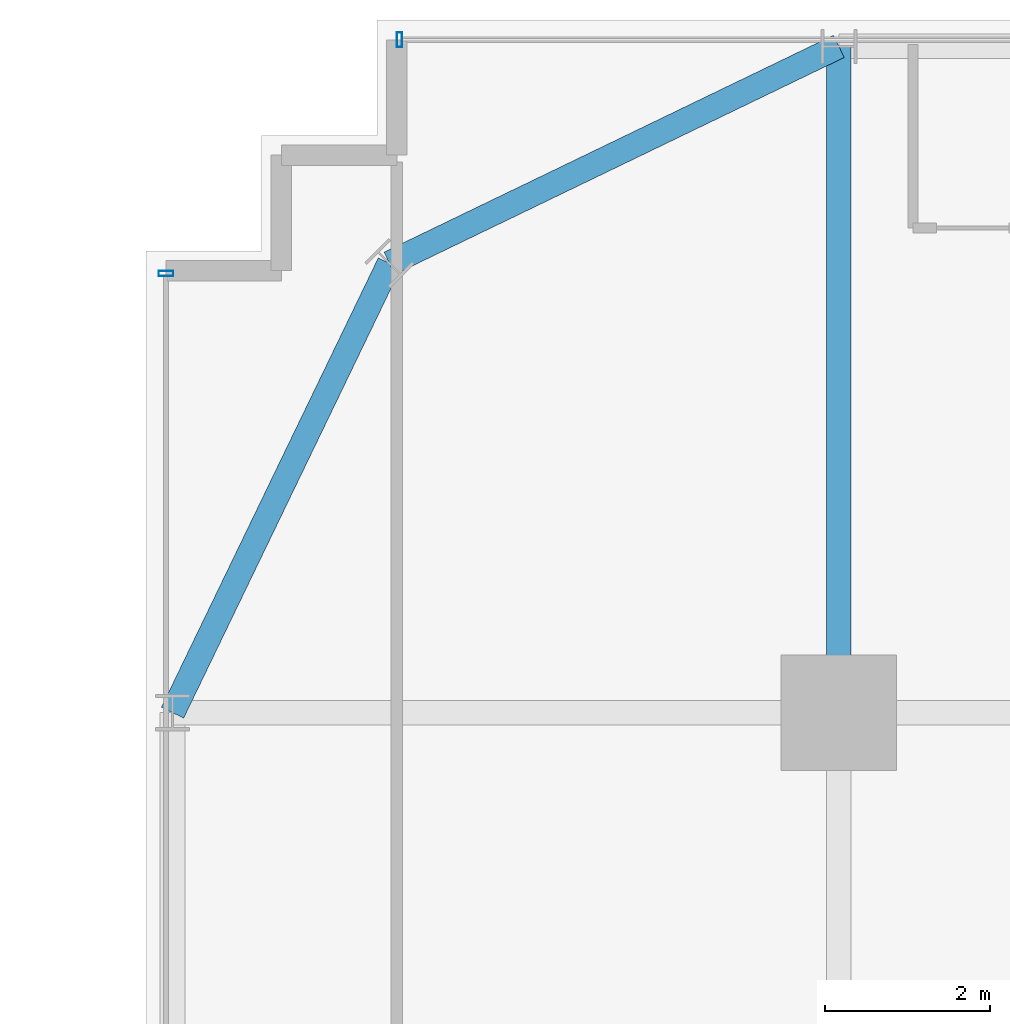
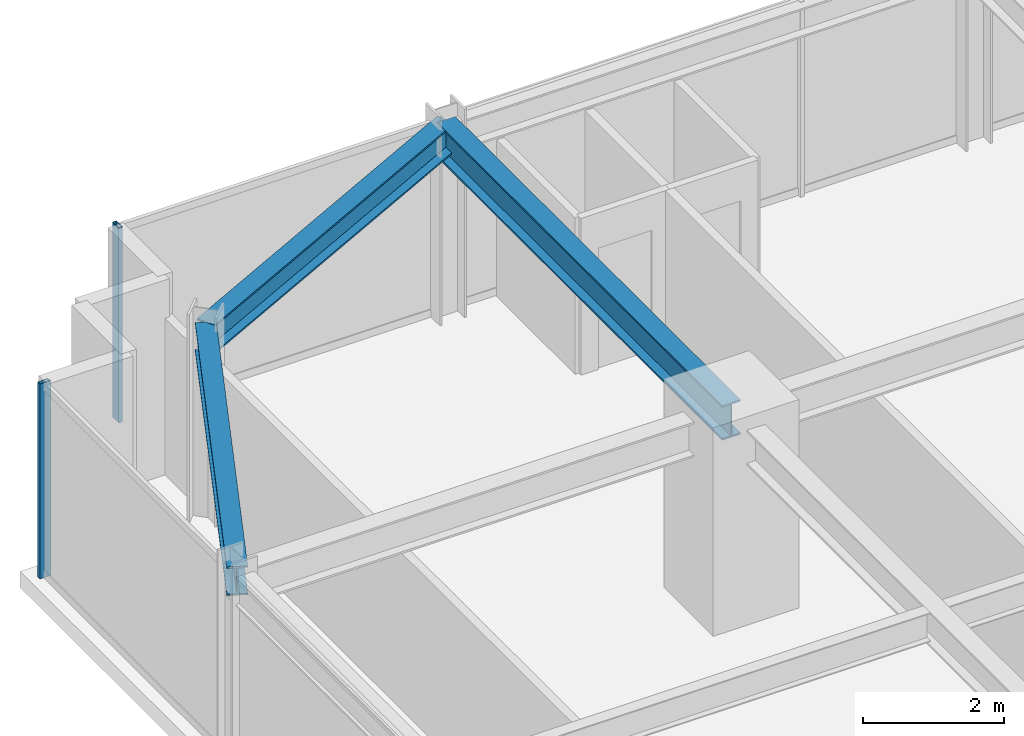
# One storey, part 21 of 37: 3 beams, 2 members, 2 elements without a shape of their own.
"""IFC4 building model written with IfcOpenShell, lengths in metres."""

import ifcopenshell
import ifcopenshell.guid

model = None  # the IFC model being written
_history = None  # IfcOwnerHistory: only IFC2X3 demands one
_inside = {}  # id of a spatial element -> (the spatial element, [elements in it])
_under = {}  # id of a project, library or spatial element -> (it, [spatial elements below it])
_declared = {}  # id of a project -> (the project, [libraries it declares])
_typed = {}  # id of a type object -> (the type object, [elements of that type])
_made_of = {}  # id of a material, layer set ... -> (it, [elements and type objects made of it])


def new_model(schema):
    """Start an empty IFC model of exactly this schema.

    Asked for "IFC4X3", IfcOpenShell would pick the latest addendum, in which some entities
    have other attributes; the version numbers below select the first issue.
    IFC2X3 requires an IfcOwnerHistory on every rooted entity: one is made here for all.
    """
    global model, _history
    if schema == "IFC4X3":
        model = ifcopenshell.file(schema_version=(4, 3, 0, 0))
    else:
        model = ifcopenshell.file(schema=schema)
    _inside.clear()
    _under.clear()
    _declared.clear()
    _typed.clear()
    _made_of.clear()
    _history = None
    if model.schema == "IFC2X3":
        org = make("IfcOrganization", Name="unknown")
        user = make(
            "IfcPersonAndOrganization",
            ThePerson=make("IfcPerson", FamilyName="unknown"),
            TheOrganization=org,
        )
        app = make(
            "IfcApplication",
            ApplicationDeveloper=org,
            Version="unknown",
            ApplicationFullName="unknown",
            ApplicationIdentifier="unknown",
        )
        _history = make(
            "IfcOwnerHistory",
            OwningUser=user,
            OwningApplication=app,
            ChangeAction="ADDED",
            CreationDate=0,
        )
    return model


def make(cls, **values):
    """One entity of the class cls with the attributes given. An attribute that is None is left unset."""
    return model.create_entity(
        cls, **{name: value for name, value in values.items() if value is not None}
    )


def rooted(cls, **values):
    """An entity with a GlobalId (a new one), such as an element, a storey or a relation."""
    return make(cls, GlobalId=ifcopenshell.guid.new(), OwnerHistory=_history, **values)


def si_unit(unit_type, name, prefix=None):
    """IfcSIUnit, for example si_unit("LENGTHUNIT", "METRE", prefix="MILLI")."""
    return make("IfcSIUnit", UnitType=unit_type, Prefix=prefix, Name=name)


def assignment(units):
    """IfcUnitAssignment: the units of a project."""
    return None if units is None else make("IfcUnitAssignment", Units=units)


def point(xyz):
    """IfcCartesianPoint."""
    return None if xyz is None else make("IfcCartesianPoint", Coordinates=xyz)


def direction(xyz):
    """IfcDirection."""
    return None if xyz is None else make("IfcDirection", DirectionRatios=xyz)


def frame(location, z_axis=None, x_axis=None):
    """IfcAxis2Placement3D, a coordinate frame: its origin and axes. An axis left out is left unset."""
    return make(
        "IfcAxis2Placement3D",
        Location=point(location),
        Axis=direction(z_axis),
        RefDirection=direction(x_axis),
    )


def frame_2d(location, x_axis=None):
    """IfcAxis2Placement2D, a coordinate frame in the plane: its origin and x axis."""
    return make(
        "IfcAxis2Placement2D", Location=point(location), RefDirection=direction(x_axis)
    )


def origin():
    """The frame at (0, 0, 0) with its axes left unset."""
    return frame((0.0, 0.0, 0.0))


def origin_2d():
    """The frame at (0, 0) in the plane with its x axis left unset."""
    return frame_2d((0.0, 0.0))


def place(relative_to, where):
    """IfcLocalPlacement: puts the frame where relative to a parent placement (None: the world)."""
    return make(
        "IfcLocalPlacement", PlacementRelTo=relative_to, RelativePlacement=where
    )


def context(
    kind, dimensions, precision=None, world=None, true_north=None, identifier=None
):
    """IfcGeometricRepresentationContext, for example the 3D "Model" context."""
    return make(
        "IfcGeometricRepresentationContext",
        ContextIdentifier=identifier,
        ContextType=kind,
        CoordinateSpaceDimension=dimensions,
        Precision=precision,
        WorldCoordinateSystem=world,
        TrueNorth=true_north,
    )


def subcontext(parent, identifier, kind, view, scale=None):
    """IfcGeometricRepresentationSubContext, for example "Body" below "Model"."""
    return make(
        "IfcGeometricRepresentationSubContext",
        ContextIdentifier=identifier,
        ContextType=kind,
        ParentContext=parent,
        TargetScale=scale,
        TargetView=view,
    )


def project(units=None, contexts=None):
    """IfcProject with its units and contexts."""
    return rooted(
        "IfcProject",
        Name="project",
        RepresentationContexts=contexts,
        UnitsInContext=assignment(units),
    )


def spatial(cls, under=None, at=None, **own):
    """A site, building, storey or space (cls), placed at a placement, below another one or the project."""
    s = rooted(cls, ObjectPlacement=at, **own)
    if under is not None:
        _under.setdefault(under.id(), (under, []))[1].append(s)
    return s


def profile(cls, at=None, kind="AREA", **sizes):
    """A parametric profile (cls). Its sizes go by their IFC names, for example OverallWidth=200.0."""
    return make(cls, ProfileType=kind, Position=at, **sizes)


def hollow_rectangle(**sizes):
    """IfcRectangleHollowProfileDef."""
    return profile("IfcRectangleHollowProfileDef", **sizes)


def i_section(**sizes):
    """IfcIShapeProfileDef."""
    return profile("IfcIShapeProfileDef", **sizes)


def extrude(swept, where, along, depth):
    """IfcExtrudedAreaSolid: the profile swept, set in the frame where, extruded along a direction by depth."""
    return make(
        "IfcExtrudedAreaSolid",
        SweptArea=swept,
        Position=where,
        ExtrudedDirection=direction(along),
        Depth=depth,
    )


def shape(context_of_items, identifier, shape_type, items):
    """IfcShapeRepresentation: the items that make up one representation, for example the "Body"."""
    return make(
        "IfcShapeRepresentation",
        ContextOfItems=context_of_items,
        RepresentationIdentifier=identifier,
        RepresentationType=shape_type,
        Items=items,
    )


def source(mapping_origin, context_of_items, identifier, shape_type, items):
    """IfcRepresentationMap: a shape defined once, which mapped items show again and again."""
    return make(
        "IfcRepresentationMap",
        MappingOrigin=mapping_origin,
        MappedRepresentation=shape(context_of_items, identifier, shape_type, items),
    )


def transform(
    local_origin,
    x_axis=None,
    y_axis=None,
    z_axis=None,
    scale=None,
    scale2=None,
    scale3=None,
    uniform=True,
):
    """IfcCartesianTransformationOperator3D, or its non-uniform kind. x_axis, y_axis, z_axis: its Axis1, 2, 3."""
    if uniform:
        return make(
            "IfcCartesianTransformationOperator3D",
            Axis1=direction(x_axis),
            Axis2=direction(y_axis),
            LocalOrigin=point(local_origin),
            Scale=scale,
            Axis3=direction(z_axis),
        )
    return make(
        "IfcCartesianTransformationOperator3DnonUniform",
        Axis1=direction(x_axis),
        Axis2=direction(y_axis),
        LocalOrigin=point(local_origin),
        Scale=scale,
        Axis3=direction(z_axis),
        Scale2=scale2,
        Scale3=scale3,
    )


def mapped(mapping_source, mapping_target):
    """IfcMappedItem: shows the shape of a source again, moved by a transform."""
    return make(
        "IfcMappedItem", MappingSource=mapping_source, MappingTarget=mapping_target
    )


def material(Name=None, Category=None):
    """IfcMaterial."""
    return make("IfcMaterial", Name=Name, Category=Category)


def material_profile(
    of_material, cross_section, Name=None, Category=None, Priority=None
):
    """IfcMaterialProfile: a cross section and its material."""
    return make(
        "IfcMaterialProfile",
        Name=Name,
        Material=of_material,
        Profile=cross_section,
        Priority=Priority,
        Category=Category,
    )


def profile_set(profiles, Name=None, composite=None):
    """IfcMaterialProfileSet."""
    return make(
        "IfcMaterialProfileSet",
        Name=Name,
        MaterialProfiles=profiles,
        CompositeProfile=composite,
    )


def made_of(thing, what):
    """Note that an element or type object is made of a material, layer set ...; save() writes the relation."""
    if what is not None:
        _made_of.setdefault(what.id(), (what, []))[1].append(thing)
    return thing


def type_object(cls, material=None, **own):
    """A type object (cls), such as IfcWallType, which elements share."""
    return made_of(rooted(cls, **own), material)


def element(
    cls,
    number,
    at=None,
    inside=None,
    cuts=None,
    type_object=None,
    material=None,
    context=None,
    identifier="Body",
    shape_type=None,
    held_by="IfcProductDefinitionShape",
    body=None,
    shapes=None,
    **own,
):
    """One element of the class cls, such as IfcWall. Its Tag is "e" and its number.

    at: its placement. inside: the storey or other place that contains it. cuts: it is an
    opening in that element (IfcRelVoidsElement). A single representation is given by context,
    identifier, shape_type and body (its items); several are given by shapes. held_by: the class
    of the entity that holds the representations. save() writes the other relations.
    """
    e = rooted(cls, Tag="e%d" % number, ObjectPlacement=at, **own)
    if body is not None:
        shapes = [shape(context, identifier, shape_type, body)]
    if shapes is not None:
        e.Representation = make(held_by, Representations=shapes)
    if inside is not None:
        _inside.setdefault(inside.id(), (inside, []))[1].append(e)
    if cuts is not None:
        rooted(
            "IfcRelVoidsElement", RelatingBuildingElement=cuts, RelatedOpeningElement=e
        )
    if type_object is not None:
        _typed.setdefault(type_object.id(), (type_object, []))[1].append(e)
    return made_of(e, material)


def aggregate(whole, parts):
    """IfcRelAggregates: a whole, such as a stair, and the parts it consists of."""
    return rooted("IfcRelAggregates", RelatingObject=whole, RelatedObjects=parts)


def save(model, path):
    """Write the relations noted so far, then the file.

    IfcRelAggregates (storeys below a building ...), IfcRelContainedInSpatialStructure (elements
    in a storey), IfcRelDefinesByType, IfcRelAssociatesMaterial and IfcRelDeclares: one each for
    every whole, place, type object, material and project.
    """
    for whole, parts in _under.values():
        aggregate(whole, parts)
    for where, things in _inside.values():
        rooted(
            "IfcRelContainedInSpatialStructure",
            RelatedElements=things,
            RelatingStructure=where,
        )
    for kind, things in _typed.values():
        rooted("IfcRelDefinesByType", RelatedObjects=things, RelatingType=kind)
    for what, things in _made_of.values():
        rooted("IfcRelAssociatesMaterial", RelatedObjects=things, RelatingMaterial=what)
    for by, libraries in _declared.values():
        rooted("IfcRelDeclares", RelatingContext=by, RelatedDefinitions=libraries)
    model.write(path)


model = new_model("IFC4")

# Units and contexts
model_context = context("Model", 3, precision=1e-05, world=origin(), true_north=direction((0.0, 1.0)))
body_context = subcontext(model_context, "Body", "Model", "MODEL_VIEW")
ifc_project = project(units=[si_unit("LENGTHUNIT", "METRE"), si_unit("AREAUNIT", "SQUARE_METRE"), si_unit("VOLUMEUNIT", "CUBIC_METRE"), si_unit("PLANEANGLEUNIT", "RADIAN"), si_unit("MASSUNIT", "GRAM", prefix="KILO")], contexts=[model_context])

# Site, building, storey
site_placement = place(None, origin())
site = spatial("IfcSite", under=ifc_project, at=site_placement, CompositionType="ELEMENT")
building_placement = place(site_placement, origin())
building = spatial("IfcBuilding", under=site, at=building_placement, Name="Nahalor Promenade Grand Hotel", CompositionType="ELEMENT")
storey_placement = place(building_placement, frame((0.0, 0.0, 36.050048828125)))
storey = spatial("IfcBuildingStorey", under=building, at=storey_placement, Name="L07", CompositionType="ELEMENT", Elevation=36.050048828125)

# Beams
ifc_material_1 = material(Name="Steel S355JR", Category="steel")
ifc_material_profile_1 = material_profile(ifc_material_1, i_section(OverallWidth=0.3, OverallDepth=0.6, WebThickness=0.0155, FlangeThickness=0.03, at=origin_2d()), Name="HEB 600")
ifc_profile_set_1 = profile_set([ifc_material_profile_1], Name="Steel S355JR")
beam_type_1 = type_object("IfcBeamType", Name="Beam-Girder-HEB600", PredefinedType="BEAM", material=ifc_profile_set_1)
shared_shape_1 = source(origin(), body_context, "Body", "SweptSolid", [
    extrude(i_section(OverallWidth=0.3, OverallDepth=0.6, WebThickness=0.0155, FlangeThickness=0.03, at=origin_2d()), origin(), (0.0, 0.0, 1.0), 8.080078125),
])
beam_placement = place(storey_placement, frame((-17.0, 17.0, 3.070068359375), z_axis=(0.0, 1.0, 0.0), x_axis=(-1.0, 0.0, 0.0)))
element("IfcBeam", 1, at=beam_placement, inside=storey, type_object=beam_type_1, Name="BM-L07-GY-0-4", PredefinedType="BEAM", context=body_context, shape_type="MappedRepresentation", body=[
    mapped(shared_shape_1, transform((0.0, 0.0, 0.0), scale=1.0)),
])
ifc_material_profile_2 = material_profile(ifc_material_1, i_section(OverallWidth=0.3, OverallDepth=0.5, WebThickness=0.0145, FlangeThickness=0.028, at=origin_2d()), Name="HEB 500")
ifc_profile_set_2 = profile_set([ifc_material_profile_2], Name="Steel S355JR")
beam_type_2 = type_object("IfcBeamType", Name="Beam-Spandrel-HEB500", PredefinedType="SPANDREL", material=ifc_profile_set_2)
shared_shape_2 = source(origin(), body_context, "Body", "SweptSolid", [
    extrude(i_section(OverallWidth=0.3, OverallDepth=0.5, WebThickness=0.0145, FlangeThickness=0.028, at=origin_2d()), origin(), (0.0, 0.0, 1.0), 6.051513671875),
])
for number, where, z_axis, x_axis, name in (
    (2, (-17.0, 25.080078125, 3.119873046875), (-0.900608818852, -0.434630596492, 0.0), (0.434630596492, -0.900608818852, 0.0), "BM-L07-SPC-NW-1"),
    (3, (-22.449951171875, 22.449951171875, 3.119873046875), (-0.434630596492, -0.900608818852, 0.0), (0.900608818852, -0.434630596492, 0.0), "BM-L07-SPC-NW-2"),
):
    element("IfcBeam", number, at=place(storey_placement, frame(where, z_axis=z_axis, x_axis=x_axis)), inside=storey, type_object=beam_type_2, Name=name, PredefinedType="SPANDREL", context=body_context, shape_type="MappedRepresentation", body=[
        mapped(shared_shape_2, transform((0.0, 0.0, 0.0), scale=1.0)),
    ])

# Curtain wall, member
ifc_material_2 = material(Name="Anodised Bronze Aluminium EN AW-6063 T6", Category="aluminium")
curtain_wall_type = type_object("IfcCurtainWallType", Name="CW2 Typical Hotel Flush Bronze Unitised Curtain Wall", PredefinedType="USERDEFINED", material=ifc_material_2)
curtain_wall_1_placement = place(storey_placement, origin())
curtain_wall_1 = element("IfcCurtainWall", 4, at=curtain_wall_1_placement, inside=storey, type_object=curtain_wall_type, Name="L07 Curtain Wall CW-L07-N-1", ObjectType="UNITISED_CURTAIN_WALL", PredefinedType="USERDEFINED")
ifc_material_profile_3 = material_profile(ifc_material_2, hollow_rectangle(XDim=0.065, YDim=0.18, WallThickness=0.004, at=origin_2d()), Name="CWM 65x180x4")
ifc_profile_set_3 = profile_set([ifc_material_profile_3], Name="Anodised Bronze Aluminium EN AW-6063 T6")
member_type = type_object("IfcMemberType", Name="CWM2 Typical Bronze Mullion 65x180", PredefinedType="MULLION", material=ifc_profile_set_3)
shared_shape_3 = source(origin(), body_context, "Body", "SweptSolid", [
    extrude(hollow_rectangle(XDim=0.065, YDim=0.18, WallThickness=0.004, at=origin_2d()), origin(), (0.0, 0.0, 1.0), 3.369873046875),
])
member_1_placement = place(storey_placement, frame((-22.327392578125, 25.159912109375, 0.0), z_axis=(0.0, 0.0, 1.0), x_axis=(1.0, 0.0, 0.0)))
member_1 = element("IfcMember", 5, at=member_1_placement, type_object=member_type, Name="CW-L07-N-1 Mullion 0", PredefinedType="MULLION", context=body_context, shape_type="MappedRepresentation", body=[
    mapped(shared_shape_3, transform((0.0, 0.0, 0.0), scale=1.0)),
])
aggregate(curtain_wall_1, [member_1])

curtain_wall_2_placement = place(storey_placement, origin())
curtain_wall_2 = element("IfcCurtainWall", 6, at=curtain_wall_2_placement, inside=storey, type_object=curtain_wall_type, Name="L07 Curtain Wall CW-L07-W-3", ObjectType="UNITISED_CURTAIN_WALL", PredefinedType="USERDEFINED")
member_2_placement = place(storey_placement, frame((-25.159912109375, 22.327392578125, 0.0), z_axis=(0.0, 0.0, 1.0), x_axis=(0.0, 1.0, 0.0)))
member_2 = element("IfcMember", 7, at=member_2_placement, type_object=member_type, Name="CW-L07-W-3 Mullion 3", PredefinedType="MULLION", context=body_context, shape_type="MappedRepresentation", body=[
    mapped(shared_shape_3, transform((0.0, 0.0, 0.0), scale=1.0)),
])
aggregate(curtain_wall_2, [member_2])

save(model, "model.ifc")
